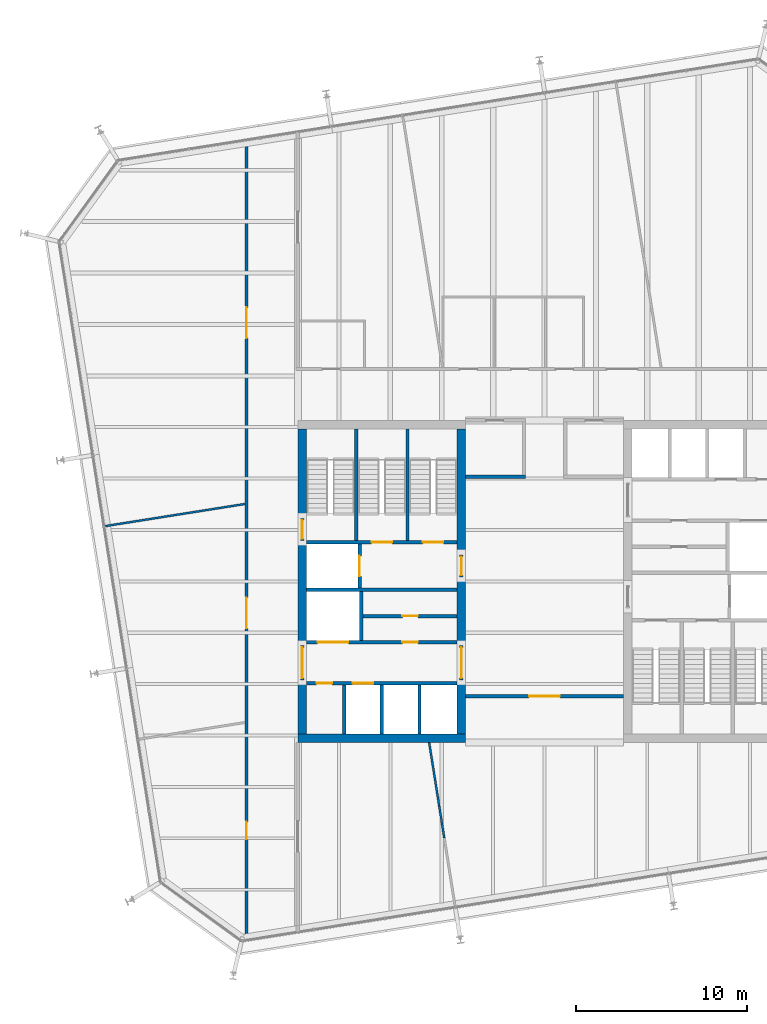
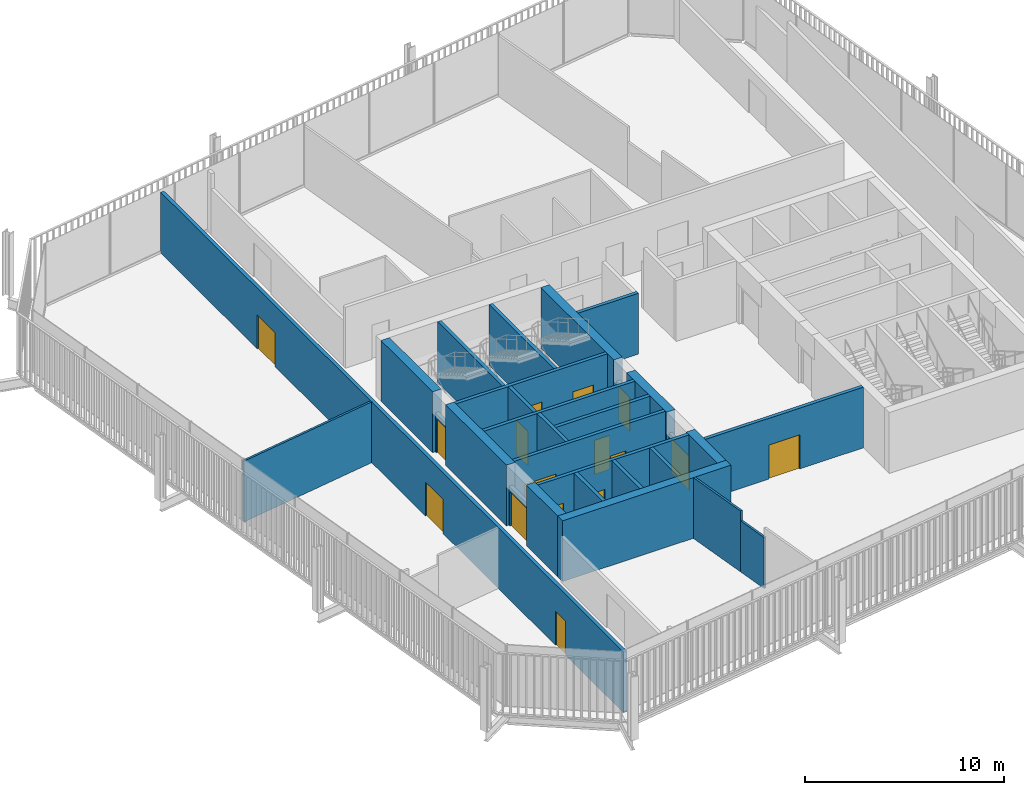
# One storey, part 16 of 20: 29 walls, 16 doors, 16 openings.
"""IFC4 building model written with IfcOpenShell, lengths in metres."""

import ifcopenshell
import ifcopenshell.guid

model = None  # the IFC model being written
_history = None  # IfcOwnerHistory: only IFC2X3 demands one
_inside = {}  # id of a spatial element -> (the spatial element, [elements in it])
_under = {}  # id of a project, library or spatial element -> (it, [spatial elements below it])
_declared = {}  # id of a project -> (the project, [libraries it declares])
_typed = {}  # id of a type object -> (the type object, [elements of that type])
_made_of = {}  # id of a material, layer set ... -> (it, [elements and type objects made of it])


def new_model(schema):
    """Start an empty IFC model of exactly this schema.

    Asked for "IFC4X3", IfcOpenShell would pick the latest addendum, in which some entities
    have other attributes; the version numbers below select the first issue.
    IFC2X3 requires an IfcOwnerHistory on every rooted entity: one is made here for all.
    """
    global model, _history
    if schema == "IFC4X3":
        model = ifcopenshell.file(schema_version=(4, 3, 0, 0))
    else:
        model = ifcopenshell.file(schema=schema)
    _inside.clear()
    _under.clear()
    _declared.clear()
    _typed.clear()
    _made_of.clear()
    _history = None
    if model.schema == "IFC2X3":
        org = make("IfcOrganization", Name="unknown")
        user = make(
            "IfcPersonAndOrganization",
            ThePerson=make("IfcPerson", FamilyName="unknown"),
            TheOrganization=org,
        )
        app = make(
            "IfcApplication",
            ApplicationDeveloper=org,
            Version="unknown",
            ApplicationFullName="unknown",
            ApplicationIdentifier="unknown",
        )
        _history = make(
            "IfcOwnerHistory",
            OwningUser=user,
            OwningApplication=app,
            ChangeAction="ADDED",
            CreationDate=0,
        )
    return model


def make(cls, **values):
    """One entity of the class cls with the attributes given. An attribute that is None is left unset."""
    return model.create_entity(
        cls, **{name: value for name, value in values.items() if value is not None}
    )


def rooted(cls, **values):
    """An entity with a GlobalId (a new one), such as an element, a storey or a relation."""
    return make(cls, GlobalId=ifcopenshell.guid.new(), OwnerHistory=_history, **values)


def si_unit(unit_type, name, prefix=None):
    """IfcSIUnit, for example si_unit("LENGTHUNIT", "METRE", prefix="MILLI")."""
    return make("IfcSIUnit", UnitType=unit_type, Prefix=prefix, Name=name)


def assignment(units):
    """IfcUnitAssignment: the units of a project."""
    return None if units is None else make("IfcUnitAssignment", Units=units)


def point(xyz):
    """IfcCartesianPoint."""
    return None if xyz is None else make("IfcCartesianPoint", Coordinates=xyz)


def direction(xyz):
    """IfcDirection."""
    return None if xyz is None else make("IfcDirection", DirectionRatios=xyz)


def frame(location, z_axis=None, x_axis=None):
    """IfcAxis2Placement3D, a coordinate frame: its origin and axes. An axis left out is left unset."""
    return make(
        "IfcAxis2Placement3D",
        Location=point(location),
        Axis=direction(z_axis),
        RefDirection=direction(x_axis),
    )


def frame_2d(location, x_axis=None):
    """IfcAxis2Placement2D, a coordinate frame in the plane: its origin and x axis."""
    return make(
        "IfcAxis2Placement2D", Location=point(location), RefDirection=direction(x_axis)
    )


def origin():
    """The frame at (0, 0, 0) with its axes left unset."""
    return frame((0.0, 0.0, 0.0))


def place(relative_to, where):
    """IfcLocalPlacement: puts the frame where relative to a parent placement (None: the world)."""
    return make(
        "IfcLocalPlacement", PlacementRelTo=relative_to, RelativePlacement=where
    )


def context(
    kind, dimensions, precision=None, world=None, true_north=None, identifier=None
):
    """IfcGeometricRepresentationContext, for example the 3D "Model" context."""
    return make(
        "IfcGeometricRepresentationContext",
        ContextIdentifier=identifier,
        ContextType=kind,
        CoordinateSpaceDimension=dimensions,
        Precision=precision,
        WorldCoordinateSystem=world,
        TrueNorth=true_north,
    )


def subcontext(parent, identifier, kind, view, scale=None):
    """IfcGeometricRepresentationSubContext, for example "Body" below "Model"."""
    return make(
        "IfcGeometricRepresentationSubContext",
        ContextIdentifier=identifier,
        ContextType=kind,
        ParentContext=parent,
        TargetScale=scale,
        TargetView=view,
    )


def project(units=None, contexts=None):
    """IfcProject with its units and contexts."""
    return rooted(
        "IfcProject",
        Name="project",
        RepresentationContexts=contexts,
        UnitsInContext=assignment(units),
    )


def spatial(cls, under=None, at=None, **own):
    """A site, building, storey or space (cls), placed at a placement, below another one or the project."""
    s = rooted(cls, ObjectPlacement=at, **own)
    if under is not None:
        _under.setdefault(under.id(), (under, []))[1].append(s)
    return s


def profile(cls, at=None, kind="AREA", **sizes):
    """A parametric profile (cls). Its sizes go by their IFC names, for example OverallWidth=200.0."""
    return make(cls, ProfileType=kind, Position=at, **sizes)


def rectangle(**sizes):
    """IfcRectangleProfileDef."""
    return profile("IfcRectangleProfileDef", **sizes)


def extrude(swept, where, along, depth):
    """IfcExtrudedAreaSolid: the profile swept, set in the frame where, extruded along a direction by depth."""
    return make(
        "IfcExtrudedAreaSolid",
        SweptArea=swept,
        Position=where,
        ExtrudedDirection=direction(along),
        Depth=depth,
    )


def shape(context_of_items, identifier, shape_type, items):
    """IfcShapeRepresentation: the items that make up one representation, for example the "Body"."""
    return make(
        "IfcShapeRepresentation",
        ContextOfItems=context_of_items,
        RepresentationIdentifier=identifier,
        RepresentationType=shape_type,
        Items=items,
    )


def material(Name=None, Category=None):
    """IfcMaterial."""
    return make("IfcMaterial", Name=Name, Category=Category)


def layer(
    of_material, thickness, ventilated=None, Name=None, Category=None, Priority=None
):
    """IfcMaterialLayer: one layer of a wall or slab, of a material (None: an air gap)."""
    return make(
        "IfcMaterialLayer",
        Material=of_material,
        LayerThickness=thickness,
        IsVentilated=ventilated,
        Name=Name,
        Category=Category,
        Priority=Priority,
    )


def layer_set(layers, Name=None):
    """IfcMaterialLayerSet."""
    return make("IfcMaterialLayerSet", MaterialLayers=layers, LayerSetName=Name)


def made_of(thing, what):
    """Note that an element or type object is made of a material, layer set ...; save() writes the relation."""
    if what is not None:
        _made_of.setdefault(what.id(), (what, []))[1].append(thing)
    return thing


def type_object(cls, material=None, **own):
    """A type object (cls), such as IfcWallType, which elements share."""
    return made_of(rooted(cls, **own), material)


def element(
    cls,
    number,
    at=None,
    inside=None,
    cuts=None,
    type_object=None,
    material=None,
    context=None,
    identifier="Body",
    shape_type=None,
    held_by="IfcProductDefinitionShape",
    body=None,
    shapes=None,
    **own,
):
    """One element of the class cls, such as IfcWall. Its Tag is "e" and its number.

    at: its placement. inside: the storey or other place that contains it. cuts: it is an
    opening in that element (IfcRelVoidsElement). A single representation is given by context,
    identifier, shape_type and body (its items); several are given by shapes. held_by: the class
    of the entity that holds the representations. save() writes the other relations.
    """
    e = rooted(cls, Tag="e%d" % number, ObjectPlacement=at, **own)
    if body is not None:
        shapes = [shape(context, identifier, shape_type, body)]
    if shapes is not None:
        e.Representation = make(held_by, Representations=shapes)
    if inside is not None:
        _inside.setdefault(inside.id(), (inside, []))[1].append(e)
    if cuts is not None:
        rooted(
            "IfcRelVoidsElement", RelatingBuildingElement=cuts, RelatedOpeningElement=e
        )
    if type_object is not None:
        _typed.setdefault(type_object.id(), (type_object, []))[1].append(e)
    return made_of(e, material)


def fill(opening, filler):
    """IfcRelFillsElement: the door or window that sits in an opening."""
    return rooted(
        "IfcRelFillsElement",
        RelatingOpeningElement=opening,
        RelatedBuildingElement=filler,
    )


def aggregate(whole, parts):
    """IfcRelAggregates: a whole, such as a stair, and the parts it consists of."""
    return rooted("IfcRelAggregates", RelatingObject=whole, RelatedObjects=parts)


def save(model, path):
    """Write the relations noted so far, then the file.

    IfcRelAggregates (storeys below a building ...), IfcRelContainedInSpatialStructure (elements
    in a storey), IfcRelDefinesByType, IfcRelAssociatesMaterial and IfcRelDeclares: one each for
    every whole, place, type object, material and project.
    """
    for whole, parts in _under.values():
        aggregate(whole, parts)
    for where, things in _inside.values():
        rooted(
            "IfcRelContainedInSpatialStructure",
            RelatedElements=things,
            RelatingStructure=where,
        )
    for kind, things in _typed.values():
        rooted("IfcRelDefinesByType", RelatedObjects=things, RelatingType=kind)
    for what, things in _made_of.values():
        rooted("IfcRelAssociatesMaterial", RelatedObjects=things, RelatingMaterial=what)
    for by, libraries in _declared.values():
        rooted("IfcRelDeclares", RelatingContext=by, RelatedDefinitions=libraries)
    model.write(path)


model = new_model("IFC4")

# Units and contexts
model_context = context("Model", 3, precision=1e-05, world=origin(), true_north=direction((0.0, 1.0)))
body_context = subcontext(model_context, "Body", "Model", "MODEL_VIEW")
ifc_project = project(units=[si_unit("LENGTHUNIT", "METRE"), si_unit("AREAUNIT", "SQUARE_METRE"), si_unit("VOLUMEUNIT", "CUBIC_METRE"), si_unit("PLANEANGLEUNIT", "RADIAN"), si_unit("MASSUNIT", "GRAM", prefix="KILO")], contexts=[model_context])

# Site, building, storey
site_placement = place(None, origin())
site = spatial("IfcSite", under=ifc_project, at=site_placement, CompositionType="ELEMENT")
building_placement = place(site_placement, origin())
building = spatial("IfcBuilding", under=site, at=building_placement, Name="Millrace Tower", CompositionType="ELEMENT")
storey_placement = place(building_placement, frame((0.0, 0.0, 208.60009765625)))
storey = spatial("IfcBuildingStorey", under=building, at=storey_placement, Name="L47", CompositionType="ELEMENT", Elevation=208.60009765625)

# Walls
ifc_material_1 = material(Name="Concrete C60", Category="concrete")
ifc_layer_1 = layer(ifc_material_1, 0.5)
ifc_layer_set_1 = layer_set([ifc_layer_1], Name="Concrete C60")
wall_type_1 = type_object("IfcWallType", Name="Core wall 500 Concrete C60", PredefinedType="SHEAR", material=ifc_layer_set_1)
wall_1_placement = place(storey_placement, frame((-14.39990234375, -9.14990234375, 0.0), z_axis=(0.0, 0.0, 1.0), x_axis=(1.0, 0.0, 0.0)))
element("IfcWall", 1, at=wall_1_placement, inside=storey, type_object=wall_type_1, Name="Core wall W L47", PredefinedType="SHEAR", context=body_context, shape_type="SweptSolid", body=[
    extrude(rectangle(XDim=9.7998046875, YDim=0.5, at=frame_2d((4.89990234375, 0.0))), origin(), (0.0, 0.0, 1.0), 3.739990234375),
])
wall_2_placement = place(storey_placement, frame((-14.14990234375, -8.89990234375, 0.0), z_axis=(0.0, 0.0, 1.0), x_axis=(0.0, 1.0, 0.0)))
element("IfcWall", 2, at=wall_2_placement, inside=storey, type_object=wall_type_1, Name="Core wall W L47", PredefinedType="SHEAR", context=body_context, shape_type="SweptSolid", body=[
    extrude(rectangle(XDim=3.14990234375, YDim=0.5, at=frame_2d((1.574951171875, 0.0))), origin(), (0.0, 0.0, 1.0), 3.739990234375),
])
wall_3_placement = place(storey_placement, frame((-14.14990234375, -3.75, 0.0), z_axis=(0.0, 0.0, 1.0), x_axis=(0.0, 1.0, 0.0)))
element("IfcWall", 3, at=wall_3_placement, inside=storey, type_object=wall_type_1, Name="Core wall W L47", PredefinedType="SHEAR", context=body_context, shape_type="SweptSolid", body=[
    extrude(rectangle(XDim=6.1298828125, YDim=0.5, at=frame_2d((3.06494140625, 0.0))), origin(), (0.0, 0.0, 1.0), 3.739990234375),
])
wall_4_placement = place(storey_placement, frame((-14.14990234375, 3.679931640625, 0.0), z_axis=(0.0, 0.0, 1.0), x_axis=(0.0, 1.0, 0.0)))
element("IfcWall", 4, at=wall_4_placement, inside=storey, type_object=wall_type_1, Name="Core wall W L47", PredefinedType="SHEAR", context=body_context, shape_type="SweptSolid", body=[
    extrude(rectangle(XDim=5.219970703125, YDim=0.5, at=frame_2d((2.60986328125, 0.0))), origin(), (0.0, 0.0, 1.0), 3.739990234375),
])
wall_5_placement = place(storey_placement, frame((-4.85009765625, -8.89990234375, 0.0), z_axis=(0.0, 0.0, 1.0), x_axis=(0.0, 1.0, 0.0)))
element("IfcWall", 5, at=wall_5_placement, inside=storey, type_object=wall_type_1, Name="Core wall W L47", PredefinedType="SHEAR", context=body_context, shape_type="SweptSolid", body=[
    extrude(rectangle(XDim=3.14990234375, YDim=0.5, at=frame_2d((1.574951171875, 0.0))), origin(), (0.0, 0.0, 1.0), 3.739990234375),
])
wall_6_placement = place(storey_placement, frame((-4.85009765625, -3.75, 0.0), z_axis=(0.0, 0.0, 1.0), x_axis=(0.0, 1.0, 0.0)))
element("IfcWall", 6, at=wall_6_placement, inside=storey, type_object=wall_type_1, Name="Core wall W L47", PredefinedType="SHEAR", context=body_context, shape_type="SweptSolid", body=[
    extrude(rectangle(XDim=4.0, YDim=0.5, at=frame_2d((2.0, 0.0))), origin(), (0.0, 0.0, 1.0), 3.739990234375),
])
wall_7_placement = place(storey_placement, frame((-4.85009765625, 1.550048828125, 0.0), z_axis=(0.0, 0.0, 1.0), x_axis=(0.0, 1.0, 0.0)))
element("IfcWall", 7, at=wall_7_placement, inside=storey, type_object=wall_type_1, Name="Core wall W L47", PredefinedType="SHEAR", context=body_context, shape_type="SweptSolid", body=[
    extrude(rectangle(XDim=7.349853515625, YDim=0.5, at=frame_2d((3.6748046875, 0.0))), origin(), (0.0, 0.0, 1.0), 3.739990234375),
])

# Wall, opening, door
ifc_material_2 = material(Name="Masonry partition, fire-rated", Category="masonry")
ifc_layer_2 = layer(ifc_material_2, 0.199951171875)
ifc_layer_set_2 = layer_set([ifc_layer_2], Name="Masonry partition, fire-rated")
wall_type_2 = type_object("IfcWallType", Name="Corridor wall 200", PredefinedType="PARTITIONING", material=ifc_layer_set_2)
wall_8_placement = place(storey_placement, frame((-4.60009765625, -6.699951171875, 0.0), z_axis=(0.0, 0.0, 1.0), x_axis=(1.0, 0.0, 0.0)))
wall_8 = element("IfcWall", 8, at=wall_8_placement, inside=storey, type_object=wall_type_2, Name="Corridor wall L47", PredefinedType="PARTITIONING", context=body_context, shape_type="SweptSolid", body=[
    extrude(rectangle(XDim=9.2001953125, YDim=0.199951171875, at=frame_2d((4.60009765625, 0.0))), origin(), (0.0, 0.0, 1.0), 3.739990234375),
])
opening_1_placement = place(wall_8_placement, frame((3.699951171875, 0.0, 0.0)))
opening_1 = element("IfcOpeningElement", 9, at=opening_1_placement, cuts=wall_8, Name="Opening 47-P015", PredefinedType="OPENING", context=body_context, shape_type="SweptSolid", body=[
    extrude(rectangle(XDim=1.800048828125, YDim=2.10009765625, at=frame_2d((0.89990234375, 1.050048828125))), frame((0.0, 0.10986328125, 0.0), z_axis=(0.0, -1.0, 0.0), x_axis=(1.0, 0.0, 0.0)), (0.0, 0.0, 1.0), 0.219970703125),
])
ifc_material_3 = material(Name="Steel door set, fire-rated", Category="steel")
door_type_1 = type_object("IfcDoorType", Name="Corridor door 1800 x 2100", OperationType="DOUBLE_DOOR_SINGLE_SWING", PredefinedType="DOOR", material=ifc_material_3)
door_1_placement = place(opening_1_placement, origin())
door_1 = element("IfcDoor", 10, at=door_1_placement, inside=storey, type_object=door_type_1, Name="Door 47-P015", OperationType="DOUBLE_DOOR_SINGLE_SWING", OverallHeight=2.10009765625, OverallWidth=1.800048828125, PredefinedType="DOOR", context=body_context, shape_type="SweptSolid", body=[
    extrude(rectangle(XDim=1.800048828125, YDim=2.10009765625, at=frame_2d((0.89990234375, 1.050048828125))), frame((0.0, 0.02490234375, 0.0), z_axis=(0.0, -1.0, 0.0), x_axis=(1.0, 0.0, 0.0)), (0.0, 0.0, 1.0), 0.050048828125),
])
fill(opening_1, door_1)

# Wall
wall_9_placement = place(storey_placement, frame((-4.60009765625, 6.10009765625, 0.0), z_axis=(0.0, 0.0, 1.0), x_axis=(1.0, 0.0, 0.0)))
element("IfcWall", 11, at=wall_9_placement, inside=storey, type_object=wall_type_2, Name="Corridor wall L47", PredefinedType="PARTITIONING", context=body_context, shape_type="SweptSolid", body=[
    extrude(rectangle(XDim=3.5, YDim=0.199951171875, at=frame_2d((1.75, 0.0))), origin(), (0.0, 0.0, 1.0), 3.739990234375),
])

# Wall, openings, doors
wall_10_placement = place(storey_placement, frame((-17.39990234375, -20.9111328125, 0.0), z_axis=(0.0, 0.0, 1.0), x_axis=(0.0, 1.0, 0.0)))
wall_10 = element("IfcWall", 12, at=wall_10_placement, inside=storey, type_object=wall_type_2, Name="Corridor wall L47", PredefinedType="PARTITIONING", context=body_context, shape_type="SweptSolid", body=[
    extrude(rectangle(XDim=46.634033203125, YDim=0.199951171875, at=frame_2d((23.31689453125, 0.0))), origin(), (0.0, 0.0, 1.0), 3.739990234375),
])
opening_2_placement = place(wall_10_placement, frame((5.8681640625, 0.0, 0.0)))
opening_2 = element("IfcOpeningElement", 13, at=opening_2_placement, cuts=wall_10, Name="Opening 47-P003", PredefinedType="OPENING", context=body_context, shape_type="SweptSolid", body=[
    extrude(rectangle(XDim=1.0, YDim=2.10009765625, at=frame_2d((0.5, 1.050048828125))), frame((0.0, 0.10986328125, 0.0), z_axis=(0.0, -1.0, 0.0), x_axis=(1.0, 0.0, 0.0)), (0.0, 0.0, 1.0), 0.219970703125),
])
opening_3_placement = place(wall_10_placement, frame((18.16455078125, 0.0, 0.0)))
opening_3 = element("IfcOpeningElement", 14, at=opening_3_placement, cuts=wall_10, Name="Opening 47-P004", PredefinedType="OPENING", context=body_context, shape_type="SweptSolid", body=[
    extrude(rectangle(XDim=1.800048828125, YDim=2.10009765625, at=frame_2d((0.89990234375, 1.050048828125))), frame((0.0, 0.10986328125, 0.0), z_axis=(0.0, -1.0, 0.0), x_axis=(1.0, 0.0, 0.0)), (0.0, 0.0, 1.0), 0.219970703125),
])
opening_4_placement = place(wall_10_placement, frame((35.11328125, 0.0, 0.0)))
opening_4 = element("IfcOpeningElement", 15, at=opening_4_placement, cuts=wall_10, Name="Opening 47-P005", PredefinedType="OPENING", context=body_context, shape_type="SweptSolid", body=[
    extrude(rectangle(XDim=1.800048828125, YDim=2.10009765625, at=frame_2d((0.89990234375, 1.050048828125))), frame((0.0, 0.10986328125, 0.0), z_axis=(0.0, -1.0, 0.0), x_axis=(1.0, 0.0, 0.0)), (0.0, 0.0, 1.0), 0.219970703125),
])
ifc_material_4 = material(Name="Steel door set, fire-rated", Category="steel")
door_type_2 = type_object("IfcDoorType", Name="Corridor door 1000 x 2100", OperationType="SINGLE_SWING_LEFT", PredefinedType="DOOR", material=ifc_material_4)
door_2_placement = place(opening_2_placement, origin())
door_2 = element("IfcDoor", 16, at=door_2_placement, inside=storey, type_object=door_type_2, Name="Door 47-P003", OperationType="SINGLE_SWING_LEFT", OverallHeight=2.10009765625, OverallWidth=1.0, PredefinedType="DOOR", context=body_context, shape_type="SweptSolid", body=[
    extrude(rectangle(XDim=1.0, YDim=2.10009765625, at=frame_2d((0.5, 1.050048828125))), frame((0.0, 0.02490234375, 0.0), z_axis=(0.0, -1.0, 0.0), x_axis=(1.0, 0.0, 0.0)), (0.0, 0.0, 1.0), 0.050048828125),
])
fill(opening_2, door_2)
door_3_placement = place(opening_3_placement, origin())
door_3 = element("IfcDoor", 17, at=door_3_placement, inside=storey, type_object=door_type_1, Name="Door 47-P004", OperationType="DOUBLE_DOOR_SINGLE_SWING", OverallHeight=2.10009765625, OverallWidth=1.800048828125, PredefinedType="DOOR", context=body_context, shape_type="SweptSolid", body=[
    extrude(rectangle(XDim=1.800048828125, YDim=2.10009765625, at=frame_2d((0.89990234375, 1.050048828125))), frame((0.0, 0.02490234375, 0.0), z_axis=(0.0, -1.0, 0.0), x_axis=(1.0, 0.0, 0.0)), (0.0, 0.0, 1.0), 0.050048828125),
])
fill(opening_3, door_3)
door_4_placement = place(opening_4_placement, frame((1.800048828125, 0.0, 0.0), z_axis=(0.0, 0.0, 1.0), x_axis=(-1.0, 0.0, 0.0)))
door_4 = element("IfcDoor", 18, at=door_4_placement, inside=storey, type_object=door_type_1, Name="Door 47-P005", OperationType="DOUBLE_DOOR_SINGLE_SWING", OverallHeight=2.10009765625, OverallWidth=1.800048828125, PredefinedType="DOOR", context=body_context, shape_type="SweptSolid", body=[
    extrude(rectangle(XDim=1.800048828125, YDim=2.10009765625, at=frame_2d((0.89990234375, 1.050048828125))), frame((0.0, 0.02490234375, 0.0), z_axis=(0.0, -1.0, 0.0), x_axis=(1.0, 0.0, 0.0)), (0.0, 0.0, 1.0), 0.050048828125),
])
fill(opening_4, door_4)

ifc_material_5 = material(Name="Masonry partition, fire-rated", Category="masonry")
ifc_layer_3 = layer(ifc_material_5, 0.199951171875)
ifc_layer_set_3 = layer_set([ifc_layer_3], Name="Masonry partition, fire-rated")
wall_type_3 = type_object("IfcWallType", Name="Lift shaft wall 200", PredefinedType="PARTITIONING", material=ifc_layer_set_3)
wall_11_placement = place(storey_placement, frame((-13.89990234375, -5.949951171875, 0.0), z_axis=(0.0, 0.0, 1.0), x_axis=(1.0, 0.0, 0.0)))
wall_11 = element("IfcWall", 19, at=wall_11_placement, inside=storey, type_object=wall_type_3, Name="Lift shaft wall W L47", PredefinedType="PARTITIONING", context=body_context, shape_type="SweptSolid", body=[
    extrude(rectangle(XDim=8.7998046875, YDim=0.199951171875, at=frame_2d((4.39990234375, 0.0))), origin(), (0.0, 0.0, 1.0), 3.739990234375),
])
opening_5_placement = place(wall_11_placement, frame((2.699951171875, 0.0, 0.0)))
opening_5 = element("IfcOpeningElement", 20, at=opening_5_placement, cuts=wall_11, Name="Opening 47-LD02", PredefinedType="OPENING", context=body_context, shape_type="SweptSolid", body=[
    extrude(rectangle(XDim=1.199951171875, YDim=2.10009765625, at=frame_2d((0.60009765625, 1.050048828125))), frame((0.0, 0.10986328125, 0.0), z_axis=(0.0, -1.0, 0.0), x_axis=(1.0, 0.0, 0.0)), (0.0, 0.0, 1.0), 0.219970703125),
])
opening_6_placement = place(wall_11_placement, frame((0.60009765625, 0.0, 0.0)))
opening_6 = element("IfcOpeningElement", 21, at=opening_6_placement, cuts=wall_11, Name="Opening 47-C005", PredefinedType="OPENING", context=body_context, shape_type="SweptSolid", body=[
    extrude(rectangle(XDim=0.89990234375, YDim=2.10009765625, at=frame_2d((0.449951171875, 1.050048828125))), frame((0.0, 0.10986328125, 0.0), z_axis=(0.0, -1.0, 0.0), x_axis=(1.0, 0.0, 0.0)), (0.0, 0.0, 1.0), 0.219970703125),
])
ifc_material_6 = material(Name="Stainless steel, fire-rated", Category="steel")
door_type_3 = type_object("IfcDoorType", Name="Lift landing door 1200 x 2100", OperationType="DOUBLE_DOOR_SLIDING", PredefinedType="DOOR", material=ifc_material_6)
door_5_placement = place(opening_5_placement, origin())
door_5 = element("IfcDoor", 22, at=door_5_placement, inside=storey, type_object=door_type_3, Name="Lift landing door LF2 L47", OperationType="DOUBLE_DOOR_SLIDING", OverallHeight=2.10009765625, OverallWidth=1.199951171875, PredefinedType="DOOR", context=body_context, shape_type="SweptSolid", body=[
    extrude(rectangle(XDim=1.199951171875, YDim=2.10009765625, at=frame_2d((0.60009765625, 1.050048828125))), frame((0.0, 0.02490234375, 0.0), z_axis=(0.0, -1.0, 0.0), x_axis=(1.0, 0.0, 0.0)), (0.0, 0.0, 1.0), 0.050048828125),
])
fill(opening_5, door_5)
ifc_material_7 = material(Name="Steel door, fire-rated", Category="steel")
door_type_4 = type_object("IfcDoorType", Name="Service room door 900 x 2100", OperationType="SINGLE_SWING_LEFT", PredefinedType="DOOR", material=ifc_material_7)
door_6_placement = place(opening_6_placement, frame((0.89990234375, 0.0, 0.0), z_axis=(0.0, 0.0, 1.0), x_axis=(-1.0, 0.0, 0.0)))
door_6 = element("IfcDoor", 23, at=door_6_placement, inside=storey, type_object=door_type_4, Name="Service room door 47-C005", OperationType="SINGLE_SWING_RIGHT", OverallHeight=2.10009765625, OverallWidth=0.89990234375, PredefinedType="DOOR", context=body_context, shape_type="SweptSolid", body=[
    extrude(rectangle(XDim=0.89990234375, YDim=2.10009765625, at=frame_2d((0.449951171875, 1.050048828125))), frame((0.0, 0.02490234375, 0.0), z_axis=(0.0, -1.0, 0.0), x_axis=(1.0, 0.0, 0.0)), (0.0, 0.0, 1.0), 0.050048828125),
])
fill(opening_6, door_6)

wall_12_placement = place(storey_placement, frame((-13.89990234375, -3.550048828125, 0.0), z_axis=(0.0, 0.0, 1.0), x_axis=(1.0, 0.0, 0.0)))
wall_12 = element("IfcWall", 24, at=wall_12_placement, inside=storey, type_object=wall_type_3, Name="Lift shaft wall W L47", PredefinedType="PARTITIONING", context=body_context, shape_type="SweptSolid", body=[
    extrude(rectangle(XDim=8.7998046875, YDim=0.199951171875, at=frame_2d((4.39990234375, 0.0))), origin(), (0.0, 0.0, 1.0), 3.739990234375),
])
opening_7_placement = place(wall_12_placement, frame((0.64990234375, 0.0, 0.0)))
opening_7 = element("IfcOpeningElement", 25, at=opening_7_placement, cuts=wall_12, Name="Opening 47-LD05", PredefinedType="OPENING", context=body_context, shape_type="SweptSolid", body=[
    extrude(rectangle(XDim=1.800048828125, YDim=2.10009765625, at=frame_2d((0.89990234375, 1.050048828125))), frame((0.0, 0.10986328125, 0.0), z_axis=(0.0, -1.0, 0.0), x_axis=(1.0, 0.0, 0.0)), (0.0, 0.0, 1.0), 0.219970703125),
])
opening_8_placement = place(wall_12_placement, frame((5.60009765625, 0.0, 0.0)))
opening_8 = element("IfcOpeningElement", 26, at=opening_8_placement, cuts=wall_12, Name="Opening 47-C006", PredefinedType="OPENING", context=body_context, shape_type="SweptSolid", body=[
    extrude(rectangle(XDim=0.89990234375, YDim=2.10009765625, at=frame_2d((0.449951171875, 1.050048828125))), frame((0.0, 0.10986328125, 0.0), z_axis=(0.0, -1.0, 0.0), x_axis=(1.0, 0.0, 0.0)), (0.0, 0.0, 1.0), 0.219970703125),
])
ifc_material_8 = material(Name="Stainless steel, fire-rated", Category="steel")
door_type_5 = type_object("IfcDoorType", Name="Lift landing door 1800 x 2100", OperationType="DOUBLE_DOOR_SLIDING", PredefinedType="DOOR", material=ifc_material_8)
door_7_placement = place(opening_7_placement, origin())
door_7 = element("IfcDoor", 27, at=door_7_placement, inside=storey, type_object=door_type_5, Name="Lift landing door LF5 L47", OperationType="DOUBLE_DOOR_SLIDING", OverallHeight=2.10009765625, OverallWidth=1.800048828125, PredefinedType="DOOR", context=body_context, shape_type="SweptSolid", body=[
    extrude(rectangle(XDim=1.800048828125, YDim=2.10009765625, at=frame_2d((0.89990234375, 1.050048828125))), frame((0.0, 0.02490234375, 0.0), z_axis=(0.0, -1.0, 0.0), x_axis=(1.0, 0.0, 0.0)), (0.0, 0.0, 1.0), 0.050048828125),
])
fill(opening_7, door_7)
door_8_placement = place(opening_8_placement, frame((0.89990234375, 0.0, 0.0), z_axis=(0.0, 0.0, 1.0), x_axis=(-1.0, 0.0, 0.0)))
door_8 = element("IfcDoor", 28, at=door_8_placement, inside=storey, type_object=door_type_4, Name="Service room door 47-C006", OperationType="SINGLE_SWING_LEFT", OverallHeight=2.10009765625, OverallWidth=0.89990234375, PredefinedType="DOOR", context=body_context, shape_type="SweptSolid", body=[
    extrude(rectangle(XDim=0.89990234375, YDim=2.10009765625, at=frame_2d((0.449951171875, 1.050048828125))), frame((0.0, 0.02490234375, 0.0), z_axis=(0.0, -1.0, 0.0), x_axis=(1.0, 0.0, 0.0)), (0.0, 0.0, 1.0), 0.050048828125),
])
fill(opening_8, door_8)

# Wall
wall_13_placement = place(storey_placement, frame((-13.89990234375, -0.5, 0.0), z_axis=(0.0, 0.0, 1.0), x_axis=(1.0, 0.0, 0.0)))
element("IfcWall", 29, at=wall_13_placement, inside=storey, type_object=wall_type_3, Name="Lift shaft wall W L47", PredefinedType="PARTITIONING", context=body_context, shape_type="SweptSolid", body=[
    extrude(rectangle(XDim=8.7998046875, YDim=0.199951171875, at=frame_2d((4.39990234375, 0.0))), origin(), (0.0, 0.0, 1.0), 3.739990234375),
])

# Wall, opening, door
wall_14_placement = place(storey_placement, frame((-10.800048828125, -0.39990234375, 0.0), z_axis=(0.0, 0.0, 1.0), x_axis=(0.0, 1.0, 0.0)))
wall_14 = element("IfcWall", 30, at=wall_14_placement, inside=storey, type_object=wall_type_3, Name="Lift shaft wall W L47", PredefinedType="PARTITIONING", context=body_context, shape_type="SweptSolid", body=[
    extrude(rectangle(XDim=2.579833984375, YDim=0.199951171875, at=frame_2d((1.2900390625, 0.0))), origin(), (0.0, 0.0, 1.0), 3.739990234375),
])
opening_9_placement = place(wall_14_placement, frame((0.68994140625, 0.0, 0.0)))
opening_9 = element("IfcOpeningElement", 31, at=opening_9_placement, cuts=wall_14, Name="Opening 47-LD08", PredefinedType="OPENING", context=body_context, shape_type="SweptSolid", body=[
    extrude(rectangle(XDim=1.199951171875, YDim=2.10009765625, at=frame_2d((0.60009765625, 1.050048828125))), frame((0.0, 0.10986328125, 0.0), z_axis=(0.0, -1.0, 0.0), x_axis=(1.0, 0.0, 0.0)), (0.0, 0.0, 1.0), 0.219970703125),
])
door_9_placement = place(opening_9_placement, origin())
door_9 = element("IfcDoor", 32, at=door_9_placement, inside=storey, type_object=door_type_3, Name="Lift landing door LF8 L47", OperationType="DOUBLE_DOOR_SLIDING", OverallHeight=2.10009765625, OverallWidth=1.199951171875, PredefinedType="DOOR", context=body_context, shape_type="SweptSolid", body=[
    extrude(rectangle(XDim=1.199951171875, YDim=2.10009765625, at=frame_2d((0.60009765625, 1.050048828125))), frame((0.0, 0.02490234375, 0.0), z_axis=(0.0, -1.0, 0.0), x_axis=(1.0, 0.0, 0.0)), (0.0, 0.0, 1.0), 0.050048828125),
])
fill(opening_9, door_9)

# Walls
for number, where, z_axis, x_axis, name in (
    (33, (-11.699951171875, -8.89990234375, 0.0), (0.0, 0.0, 1.0), (0.0, 1.0, 0.0), "Lift shaft wall W L47"),
    (34, (-9.5, -8.89990234375, 0.0), (0.0, 0.0, 1.0), (0.0, 1.0, 0.0), "Lift shaft wall W L47"),
    (35, (-7.300048828125, -8.89990234375, 0.0), (0.0, 0.0, 1.0), (0.0, 1.0, 0.0), "Lift shaft wall W L47"),
    (36, (-10.699951171875, -3.449951171875, 0.0), (0.0, 0.0, 1.0), (0.0, 1.0, 0.0), "Lift shaft wall W L47"),
):
    element("IfcWall", number, at=place(storey_placement, frame(where, z_axis=z_axis, x_axis=x_axis)), inside=storey, type_object=wall_type_3, Name=name, PredefinedType="PARTITIONING", context=body_context, shape_type="SweptSolid", body=[
        extrude(rectangle(XDim=2.849853515625, YDim=0.199951171875, at=frame_2d((1.4248046875, 0.0))), origin(), (0.0, 0.0, 1.0), 3.739990234375),
    ])

# Wall, opening, door
ifc_material_9 = material(Name="Masonry partition, fire-rated", Category="masonry")
ifc_layer_4 = layer(ifc_material_9, 0.199951171875)
ifc_layer_set_4 = layer_set([ifc_layer_4], Name="Masonry partition, fire-rated")
wall_type_4 = type_object("IfcWallType", Name="Lobby wall 200", PredefinedType="PARTITIONING", material=ifc_layer_set_4)
wall_15_placement = place(storey_placement, frame((-14.14990234375, -5.75, 0.0), z_axis=(0.0, 0.0, 1.0), x_axis=(0.0, 1.0, 0.0)))
wall_15 = element("IfcWall", 37, at=wall_15_placement, inside=storey, type_object=wall_type_4, Name="Lobby wall W L47", PredefinedType="PARTITIONING", context=body_context, shape_type="SweptSolid", body=[
    extrude(rectangle(XDim=2.0, YDim=0.199951171875, at=frame_2d((1.0, 0.0))), origin(), (0.0, 0.0, 1.0), 2.39990234375),
])
opening_10_placement = place(wall_15_placement, frame((0.10009765625, 0.0, 0.0)))
opening_10 = element("IfcOpeningElement", 38, at=opening_10_placement, cuts=wall_15, Name="Opening 47-C001", PredefinedType="OPENING", context=body_context, shape_type="SweptSolid", body=[
    extrude(rectangle(XDim=1.800048828125, YDim=2.10009765625, at=frame_2d((0.89990234375, 1.050048828125))), frame((0.0, 0.10986328125, 0.0), z_axis=(0.0, -1.0, 0.0), x_axis=(1.0, 0.0, 0.0)), (0.0, 0.0, 1.0), 0.219970703125),
])
ifc_material_10 = material(Name="Steel door, fire-rated", Category="steel")
door_type_6 = type_object("IfcDoorType", Name="Lobby door 1800 x 2100", OperationType="DOUBLE_DOOR_SINGLE_SWING", PredefinedType="DOOR", material=ifc_material_10)
door_10_placement = place(opening_10_placement, origin())
door_10 = element("IfcDoor", 39, at=door_10_placement, inside=storey, type_object=door_type_6, Name="Lobby door 47-C001", OperationType="DOUBLE_DOOR_SINGLE_SWING", OverallHeight=2.10009765625, OverallWidth=1.800048828125, PredefinedType="DOOR", context=body_context, shape_type="SweptSolid", body=[
    extrude(rectangle(XDim=1.800048828125, YDim=2.10009765625, at=frame_2d((0.89990234375, 1.050048828125))), frame((0.0, 0.02490234375, 0.0), z_axis=(0.0, -1.0, 0.0), x_axis=(1.0, 0.0, 0.0)), (0.0, 0.0, 1.0), 0.050048828125),
])
fill(opening_10, door_10)

wall_16_placement = place(storey_placement, frame((-4.85009765625, -5.75, 0.0), z_axis=(0.0, 0.0, 1.0), x_axis=(0.0, 1.0, 0.0)))
wall_16 = element("IfcWall", 40, at=wall_16_placement, inside=storey, type_object=wall_type_4, Name="Lobby wall W L47", PredefinedType="PARTITIONING", context=body_context, shape_type="SweptSolid", body=[
    extrude(rectangle(XDim=2.0, YDim=0.199951171875, at=frame_2d((1.0, 0.0))), origin(), (0.0, 0.0, 1.0), 2.39990234375),
])
opening_11_placement = place(wall_16_placement, frame((0.10009765625, 0.0, 0.0)))
opening_11 = element("IfcOpeningElement", 41, at=opening_11_placement, cuts=wall_16, Name="Opening 47-C003", PredefinedType="OPENING", context=body_context, shape_type="SweptSolid", body=[
    extrude(rectangle(XDim=1.800048828125, YDim=2.10009765625, at=frame_2d((0.89990234375, 1.050048828125))), frame((0.0, 0.10986328125, 0.0), z_axis=(0.0, -1.0, 0.0), x_axis=(1.0, 0.0, 0.0)), (0.0, 0.0, 1.0), 0.219970703125),
])
door_11_placement = place(opening_11_placement, frame((1.800048828125, 0.0, 0.0), z_axis=(0.0, 0.0, 1.0), x_axis=(-1.0, 0.0, 0.0)))
door_11 = element("IfcDoor", 42, at=door_11_placement, inside=storey, type_object=door_type_6, Name="Lobby door 47-C003", OperationType="DOUBLE_DOOR_SINGLE_SWING", OverallHeight=2.10009765625, OverallWidth=1.800048828125, PredefinedType="DOOR", context=body_context, shape_type="SweptSolid", body=[
    extrude(rectangle(XDim=1.800048828125, YDim=2.10009765625, at=frame_2d((0.89990234375, 1.050048828125))), frame((0.0, 0.02490234375, 0.0), z_axis=(0.0, -1.0, 0.0), x_axis=(1.0, 0.0, 0.0)), (0.0, 0.0, 1.0), 0.050048828125),
])
fill(opening_11, door_11)

wall_17_placement = place(storey_placement, frame((-4.85009765625, 0.25, 0.0), z_axis=(0.0, 0.0, 1.0), x_axis=(0.0, 1.0, 0.0)))
wall_17 = element("IfcWall", 43, at=wall_17_placement, inside=storey, type_object=wall_type_4, Name="Lobby wall W L47", PredefinedType="PARTITIONING", context=body_context, shape_type="SweptSolid", body=[
    extrude(rectangle(XDim=1.300048828125, YDim=0.199951171875, at=frame_2d((0.64990234375, 0.0))), origin(), (0.0, 0.0, 1.0), 2.39990234375),
])
opening_12_placement = place(wall_17_placement, frame((0.10009765625, 0.0, 0.0)))
opening_12 = element("IfcOpeningElement", 44, at=opening_12_placement, cuts=wall_17, Name="Opening 47-C004", PredefinedType="OPENING", context=body_context, shape_type="SweptSolid", body=[
    extrude(rectangle(XDim=1.10009765625, YDim=2.10009765625, at=frame_2d((0.550048828125, 1.050048828125))), frame((0.0, 0.10986328125, 0.0), z_axis=(0.0, -1.0, 0.0), x_axis=(1.0, 0.0, 0.0)), (0.0, 0.0, 1.0), 0.219970703125),
])
ifc_material_11 = material(Name="Steel door, fire-rated", Category="steel")
door_type_7 = type_object("IfcDoorType", Name="Lobby door 1100 x 2100", OperationType="SINGLE_SWING_LEFT", PredefinedType="DOOR", material=ifc_material_11)
door_12_placement = place(opening_12_placement, frame((1.10009765625, 0.0, 0.0), z_axis=(0.0, 0.0, 1.0), x_axis=(-1.0, 0.0, 0.0)))
door_12 = element("IfcDoor", 45, at=door_12_placement, inside=storey, type_object=door_type_7, Name="Lobby door 47-C004", OperationType="SINGLE_SWING_RIGHT", OverallHeight=2.10009765625, OverallWidth=1.10009765625, PredefinedType="DOOR", context=body_context, shape_type="SweptSolid", body=[
    extrude(rectangle(XDim=1.10009765625, YDim=2.10009765625, at=frame_2d((0.550048828125, 1.050048828125))), frame((0.0, 0.02490234375, 0.0), z_axis=(0.0, -1.0, 0.0), x_axis=(1.0, 0.0, 0.0)), (0.0, 0.0, 1.0), 0.050048828125),
])
fill(opening_12, door_12)

# Walls
ifc_material_12 = material(Name="Gypsum board partition")
ifc_layer_5 = layer(ifc_material_12, 0.1201171875)
ifc_layer_set_5 = layer_set([ifc_layer_5], Name="Gypsum board partition")
wall_type_5 = type_object("IfcWallType", Name="Partition wall 120", PredefinedType="PARTITIONING", material=ifc_layer_set_5)
wall_18_placement = place(storey_placement, frame((-6.737060546875, -9.39990234375, 0.0), z_axis=(0.0, 0.0, 1.0), x_axis=(0.156382059487, -0.987696639394, 0.0)))
element("IfcWall", 46, at=wall_18_placement, inside=storey, type_object=wall_type_5, Name="Partition wall L47", PredefinedType="PARTITIONING", context=body_context, shape_type="SweptSolid", body=[
    extrude(rectangle(XDim=3.765625, YDim=0.1201171875, at=frame_2d((1.8828125, 0.0))), origin(), (0.0, 0.0, 1.0), 3.739990234375),
])
wall_19_placement = place(storey_placement, frame((-6.148193359375, -13.119140625, 0.0), z_axis=(0.0, 0.0, 1.0), x_axis=(0.1562533807, -0.987717004521, 0.0)))
element("IfcWall", 47, at=wall_19_placement, inside=storey, type_object=wall_type_5, Name="Partition wall L47", PredefinedType="PARTITIONING", context=body_context, shape_type="SweptSolid", body=[
    extrude(rectangle(XDim=1.896728515625, YDim=0.1201171875, at=frame_2d((0.9482421875, 0.0))), origin(), (0.0, 0.0, 1.0), 3.140380859375),
])
wall_20_placement = place(storey_placement, frame((-25.675048828125, 3.22119140625, 0.0), z_axis=(0.0, 0.0, 1.0), x_axis=(0.987685127448, 0.156454750705, 0.0)))
element("IfcWall", 48, at=wall_20_placement, inside=storey, type_object=wall_type_5, Name="Partition wall L47", PredefinedType="PARTITIONING", context=body_context, shape_type="SweptSolid", body=[
    extrude(rectangle(XDim=8.2783203125, YDim=0.1201171875, at=frame_2d((4.13916015625, 0.0))), origin(), (0.0, 0.0, 1.0), 3.739990234375),
])

# Wall, opening, door
ifc_material_13 = material(Name="Masonry partition, fire-rated", Category="masonry")
ifc_layer_6 = layer(ifc_material_13, 0.199951171875)
ifc_layer_set_6 = layer_set([ifc_layer_6], Name="Masonry partition, fire-rated")
wall_type_6 = type_object("IfcWallType", Name="Room partition 200", PredefinedType="PARTITIONING", material=ifc_layer_set_6)
wall_21_placement = place(storey_placement, frame((-10.60009765625, -2.02490234375, 0.0), z_axis=(0.0, 0.0, 1.0), x_axis=(1.0, 0.0, 0.0)))
wall_21 = element("IfcWall", 49, at=wall_21_placement, inside=storey, type_object=wall_type_6, Name="Room partition W L47", PredefinedType="PARTITIONING", context=body_context, shape_type="SweptSolid", body=[
    extrude(rectangle(XDim=5.5, YDim=0.199951171875, at=frame_2d((2.75, 0.0))), origin(), (0.0, 0.0, 1.0), 3.739990234375),
])
opening_13_placement = place(wall_21_placement, frame((2.300048828125, 0.0, 0.0)))
opening_13 = element("IfcOpeningElement", 50, at=opening_13_placement, cuts=wall_21, Name="Opening 47-C007", PredefinedType="OPENING", context=body_context, shape_type="SweptSolid", body=[
    extrude(rectangle(XDim=0.89990234375, YDim=2.10009765625, at=frame_2d((0.449951171875, 1.050048828125))), frame((0.0, 0.10986328125, 0.0), z_axis=(0.0, -1.0, 0.0), x_axis=(1.0, 0.0, 0.0)), (0.0, 0.0, 1.0), 0.219970703125),
])
door_13_placement = place(opening_13_placement, origin())
door_13 = element("IfcDoor", 51, at=door_13_placement, inside=storey, type_object=door_type_4, Name="Service room door 47-C007", OperationType="SINGLE_SWING_LEFT", OverallHeight=2.10009765625, OverallWidth=0.89990234375, PredefinedType="DOOR", context=body_context, shape_type="SweptSolid", body=[
    extrude(rectangle(XDim=0.89990234375, YDim=2.10009765625, at=frame_2d((0.449951171875, 1.050048828125))), frame((0.0, 0.02490234375, 0.0), z_axis=(0.0, -1.0, 0.0), x_axis=(1.0, 0.0, 0.0)), (0.0, 0.0, 1.0), 0.050048828125),
])
fill(opening_13, door_13)

ifc_material_14 = material(Name="Concrete C40", Category="concrete")
ifc_layer_7 = layer(ifc_material_14, 0.199951171875)
ifc_layer_set_7 = layer_set([ifc_layer_7], Name="Concrete C40")
wall_type_7 = type_object("IfcWallType", Name="Stair enclosure wall 200 Concrete C40", PredefinedType="SHEAR", material=ifc_layer_set_7)
wall_22_placement = place(storey_placement, frame((-14.14990234375, 2.3798828125, 0.0), z_axis=(0.0, 0.0, 1.0), x_axis=(0.0, 1.0, 0.0)))
wall_22 = element("IfcWall", 52, at=wall_22_placement, inside=storey, type_object=wall_type_7, Name="Stair enclosure wall W L47", PredefinedType="SHEAR", context=body_context, shape_type="SweptSolid", body=[
    extrude(rectangle(XDim=1.300048828125, YDim=0.199951171875, at=frame_2d((0.64990234375, 0.0))), origin(), (0.0, 0.0, 1.0), 2.39990234375),
])
opening_14_placement = place(wall_22_placement, frame((0.10009765625, 0.0, 0.0)))
opening_14 = element("IfcOpeningElement", 53, at=opening_14_placement, cuts=wall_22, Name="Opening 47-C002", PredefinedType="OPENING", context=body_context, shape_type="SweptSolid", body=[
    extrude(rectangle(XDim=1.10009765625, YDim=2.10009765625, at=frame_2d((0.550048828125, 1.050048828125))), frame((0.0, 0.10986328125, 0.0), z_axis=(0.0, -1.0, 0.0), x_axis=(1.0, 0.0, 0.0)), (0.0, 0.0, 1.0), 0.219970703125),
])
ifc_material_15 = material(Name="Steel door, fire-rated", Category="steel")
door_type_8 = type_object("IfcDoorType", Name="Stair door 1100 x 2100", OperationType="SINGLE_SWING_LEFT", PredefinedType="DOOR", material=ifc_material_15)
door_14_placement = place(opening_14_placement, origin())
door_14 = element("IfcDoor", 54, at=door_14_placement, inside=storey, type_object=door_type_8, Name="Stair door 47-C002", OperationType="SINGLE_SWING_LEFT", OverallHeight=2.10009765625, OverallWidth=1.10009765625, PredefinedType="DOOR", context=body_context, shape_type="SweptSolid", body=[
    extrude(rectangle(XDim=1.10009765625, YDim=2.10009765625, at=frame_2d((0.550048828125, 1.050048828125))), frame((0.0, 0.02490234375, 0.0), z_axis=(0.0, -1.0, 0.0), x_axis=(1.0, 0.0, 0.0)), (0.0, 0.0, 1.0), 0.050048828125),
])
fill(opening_14, door_14)

# Wall, openings, doors
wall_23_placement = place(storey_placement, frame((-13.89990234375, 2.280029296875, 0.0), z_axis=(0.0, 0.0, 1.0), x_axis=(1.0, 0.0, 0.0)))
wall_23 = element("IfcWall", 55, at=wall_23_placement, inside=storey, type_object=wall_type_7, Name="Stair enclosure wall W L47", PredefinedType="SHEAR", context=body_context, shape_type="SweptSolid", body=[
    extrude(rectangle(XDim=8.7998046875, YDim=0.199951171875, at=frame_2d((4.39990234375, 0.0))), origin(), (0.0, 0.0, 1.0), 3.739990234375),
])
opening_15_placement = place(wall_23_placement, frame((3.800048828125, 0.0, 0.0)))
opening_15 = element("IfcOpeningElement", 56, at=opening_15_placement, cuts=wall_23, Name="Opening 47-C008", PredefinedType="OPENING", context=body_context, shape_type="SweptSolid", body=[
    extrude(rectangle(XDim=1.199951171875, YDim=2.10009765625, at=frame_2d((0.60009765625, 1.050048828125))), frame((0.0, 0.10986328125, 0.0), z_axis=(0.0, -1.0, 0.0), x_axis=(1.0, 0.0, 0.0)), (0.0, 0.0, 1.0), 0.219970703125),
])
opening_16_placement = place(wall_23_placement, frame((6.800048828125, 0.0, 0.0)))
opening_16 = element("IfcOpeningElement", 57, at=opening_16_placement, cuts=wall_23, Name="Opening 47-C009", PredefinedType="OPENING", context=body_context, shape_type="SweptSolid", body=[
    extrude(rectangle(XDim=1.199951171875, YDim=2.10009765625, at=frame_2d((0.60009765625, 1.050048828125))), frame((0.0, 0.10986328125, 0.0), z_axis=(0.0, -1.0, 0.0), x_axis=(1.0, 0.0, 0.0)), (0.0, 0.0, 1.0), 0.219970703125),
])
ifc_material_16 = material(Name="Steel door, fire-rated", Category="steel")
door_type_9 = type_object("IfcDoorType", Name="Stair door 1200 x 2100", OperationType="SINGLE_SWING_LEFT", PredefinedType="DOOR", material=ifc_material_16)
door_15_placement = place(opening_15_placement, frame((1.199951171875, 0.0, 0.0), z_axis=(0.0, 0.0, 1.0), x_axis=(-1.0, 0.0, 0.0)))
door_15 = element("IfcDoor", 58, at=door_15_placement, inside=storey, type_object=door_type_9, Name="Stair door 47-C008", OperationType="SINGLE_SWING_RIGHT", OverallHeight=2.10009765625, OverallWidth=1.199951171875, PredefinedType="DOOR", context=body_context, shape_type="SweptSolid", body=[
    extrude(rectangle(XDim=1.199951171875, YDim=2.10009765625, at=frame_2d((0.60009765625, 1.050048828125))), frame((0.0, 0.02490234375, 0.0), z_axis=(0.0, -1.0, 0.0), x_axis=(1.0, 0.0, 0.0)), (0.0, 0.0, 1.0), 0.050048828125),
])
fill(opening_15, door_15)
door_16_placement = place(opening_16_placement, frame((1.199951171875, 0.0, 0.0), z_axis=(0.0, 0.0, 1.0), x_axis=(-1.0, 0.0, 0.0)))
door_16 = element("IfcDoor", 59, at=door_16_placement, inside=storey, type_object=door_type_9, Name="Stair door 47-C009", OperationType="SINGLE_SWING_LEFT", OverallHeight=2.10009765625, OverallWidth=1.199951171875, PredefinedType="DOOR", context=body_context, shape_type="SweptSolid", body=[
    extrude(rectangle(XDim=1.199951171875, YDim=2.10009765625, at=frame_2d((0.60009765625, 1.050048828125))), frame((0.0, 0.02490234375, 0.0), z_axis=(0.0, -1.0, 0.0), x_axis=(1.0, 0.0, 0.0)), (0.0, 0.0, 1.0), 0.050048828125),
])
fill(opening_16, door_16)

# Walls
for number, where, z_axis, x_axis, name in (
    (60, (-11.0, 2.3798828125, 0.0), (0.0, 0.0, 1.0), (0.0, 1.0, 0.0), "Stair enclosure wall W L47"),
    (61, (-8.0, 2.3798828125, 0.0), (0.0, 0.0, 1.0), (0.0, 1.0, 0.0), "Stair enclosure wall W L47"),
):
    element("IfcWall", number, at=place(storey_placement, frame(where, z_axis=z_axis, x_axis=x_axis)), inside=storey, type_object=wall_type_7, Name=name, PredefinedType="SHEAR", context=body_context, shape_type="SweptSolid", body=[
        extrude(rectangle(XDim=6.52001953125, YDim=0.199951171875, at=frame_2d((3.260009765625, 0.0))), origin(), (0.0, 0.0, 1.0), 3.739990234375),
    ])

save(model, "model.ifc")
